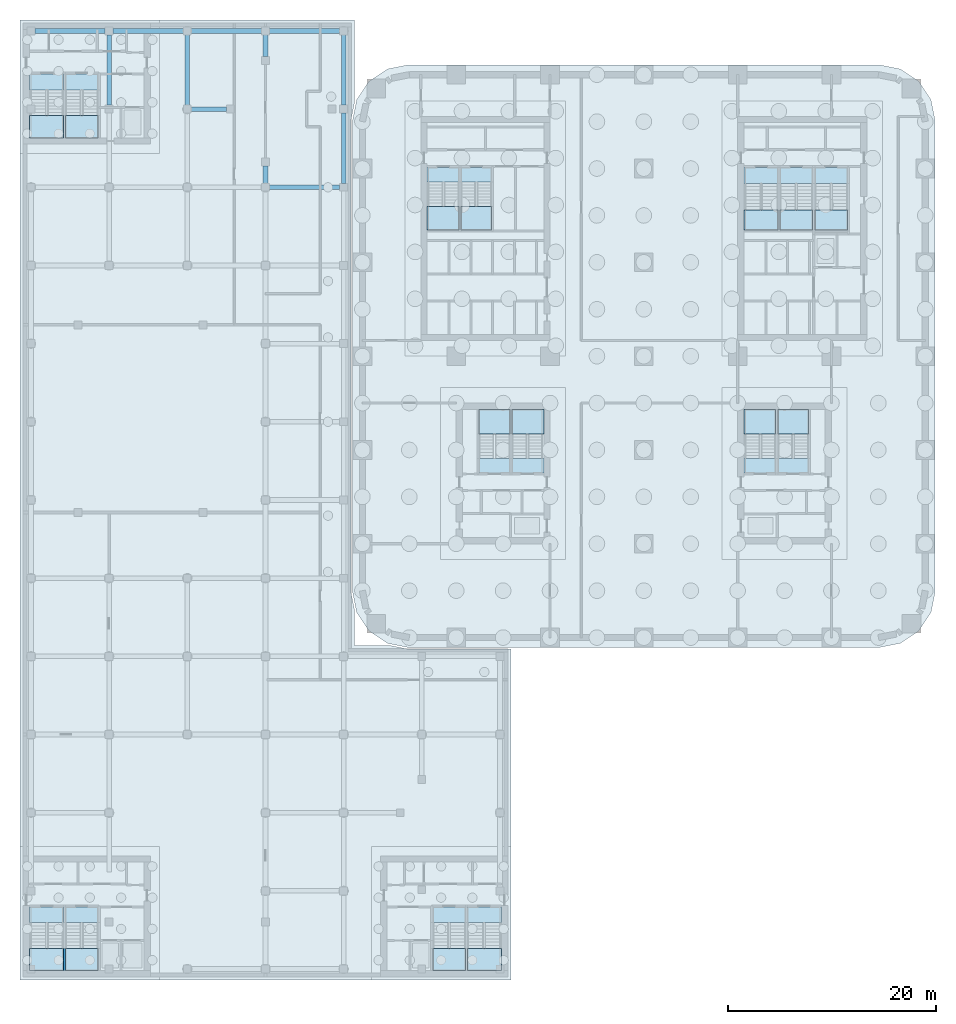
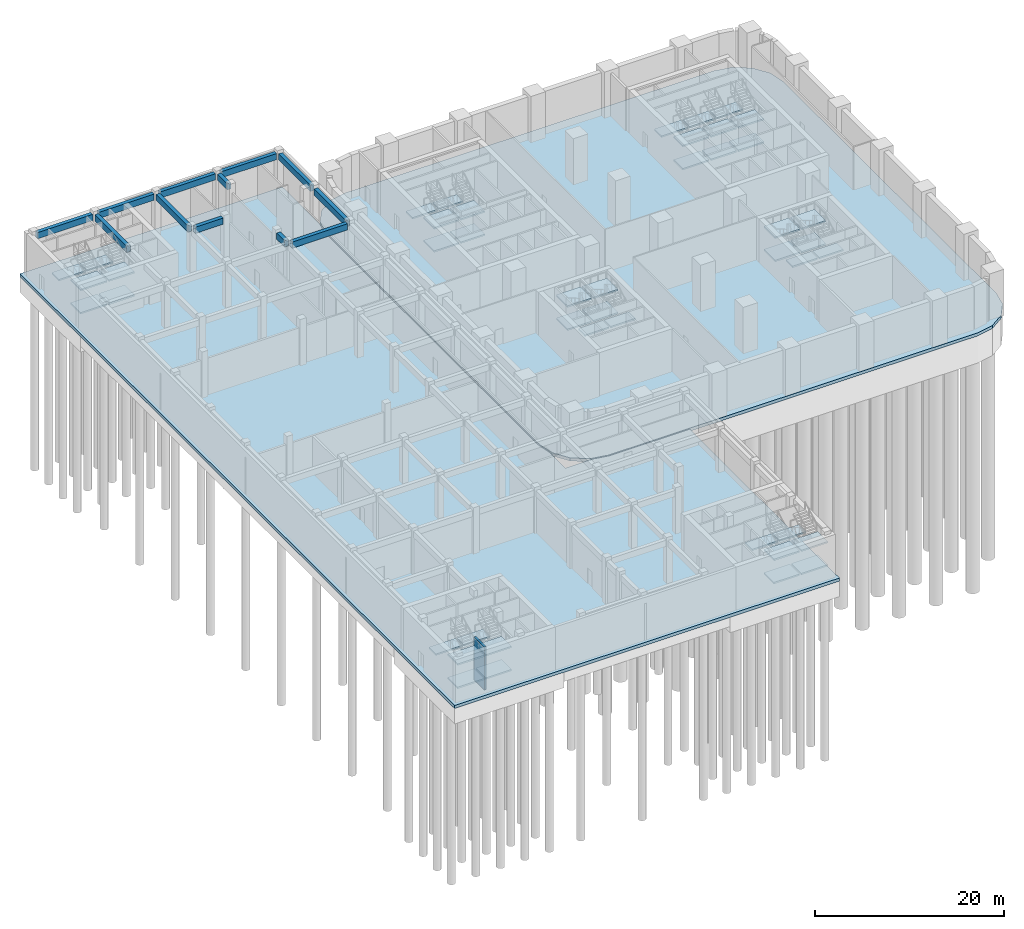
# One storey, part 3 of 26: 47 slabs, 12 beams, 1 wall, 15 elements without a shape of their own.
"""IFC4 building model written with IfcOpenShell, lengths in metres."""

from ifc_helpers import new_model, si_unit, direction, frame, frame_2d, origin, origin_2d, place, context, subcontext, project, spatial, polyline, rectangle, outline, extrude, material, layer, layer_set, material_profile, profile_set, type_object, element, aggregate, save


model = new_model("IFC4")

# Units and contexts
model_context = context("Model", 3, precision=1e-05, world=origin(), true_north=direction((0.0, 1.0)))
body_context = subcontext(model_context, "Body", "Model", "MODEL_VIEW")
ifc_project = project(units=[si_unit("LENGTHUNIT", "METRE"), si_unit("AREAUNIT", "SQUARE_METRE"), si_unit("VOLUMEUNIT", "CUBIC_METRE"), si_unit("PLANEANGLEUNIT", "RADIAN"), si_unit("MASSUNIT", "GRAM", prefix="KILO")], contexts=[model_context])

# Site, building, storey
site_placement = place(None, origin())
site = spatial("IfcSite", under=ifc_project, at=site_placement, CompositionType="ELEMENT")
building_placement = place(site_placement, origin())
building = spatial("IfcBuilding", under=site, at=building_placement, Name="Tessera Arch", CompositionType="ELEMENT")
storey_placement = place(building_placement, frame((0.0, 0.0, -6.0)))
storey = spatial("IfcBuildingStorey", under=building, at=storey_placement, Name="B1", CompositionType="ELEMENT", Elevation=-6.0)

# Beams
ifc_material_1 = material(Name="Concrete C40/50", Category="concrete")
ifc_material_profile = material_profile(ifc_material_1, rectangle(XDim=0.449951171875, YDim=0.800048828125, at=origin_2d()), Name="Museum beam 450 x 800 Concrete C40/50")
ifc_profile_set = profile_set([ifc_material_profile], Name="Concrete C40/50")
beam_type = type_object("IfcBeamType", Name="Museum beam 450 x 800 Concrete C40/50", PredefinedType="BEAM", material=ifc_profile_set)
for number, where, z_axis, x_axis, name in (
    (1, (-24.300048828125, 51.074951171875, 5.18994140625), (0.0, 1.0, 0.0), (-1.0, 0.0, 0.0), "Museum beam B1 15"),
    (2, (-16.800048828125, 51.074951171875, 5.18994140625), (0.0, 1.0, 0.0), (-1.0, 0.0, 0.0), "Museum beam B1 20"),
):
    element("IfcBeam", number, at=place(storey_placement, frame(where, z_axis=z_axis, x_axis=x_axis)), inside=storey, type_object=beam_type, Name=name, PredefinedType="BEAM", context=body_context, shape_type="SweptSolid", body=[
        extrude(rectangle(XDim=0.449951171875, YDim=0.800048828125, at=origin_2d()), origin(), (0.0, 0.0, 1.0), 6.75),
    ])
beam_1_placement = place(storey_placement, frame((-9.300048828125, 43.574951171875, 5.18994140625), z_axis=(0.0, 1.0, 0.0), x_axis=(-1.0, 0.0, 0.0)))
element("IfcBeam", 3, at=beam_1_placement, inside=storey, type_object=beam_type, Name="Museum beam B1 32", PredefinedType="BEAM", context=body_context, shape_type="SweptSolid", body=[
    extrude(rectangle(XDim=0.449951171875, YDim=0.800048828125, at=origin_2d()), origin(), (0.0, 0.0, 1.0), 1.675048828125),
])
beam_2_placement = place(storey_placement, frame((-9.300048828125, 55.75, 5.18994140625), z_axis=(0.0, 1.0, 0.0), x_axis=(-1.0, 0.0, 0.0)))
element("IfcBeam", 4, at=beam_2_placement, inside=storey, type_object=beam_type, Name="Museum beam B1 33", PredefinedType="BEAM", context=body_context, shape_type="SweptSolid", body=[
    extrude(rectangle(XDim=0.449951171875, YDim=0.800048828125, at=origin_2d()), origin(), (0.0, 0.0, 1.0), 2.074951171875),
])
for number, where, z_axis, x_axis, name in (
    (5, (-1.800048828125, 43.574951171875, 5.18994140625), (0.0, 1.0, 0.0), (-1.0, 0.0, 0.0), "Museum beam B1 44"),
    (6, (-1.800048828125, 51.074951171875, 5.18994140625), (0.0, 1.0, 0.0), (-1.0, 0.0, 0.0), "Museum beam B1 45"),
    (7, (-8.925048828125, 43.199951171875, 5.18994140625), (1.0, 0.0, 0.0), (0.0, 1.0, 0.0), "Museum beam B1 83"),
):
    element("IfcBeam", number, at=place(storey_placement, frame(where, z_axis=z_axis, x_axis=x_axis)), inside=storey, type_object=beam_type, Name=name, PredefinedType="BEAM", context=body_context, shape_type="SweptSolid", body=[
        extrude(rectangle(XDim=0.449951171875, YDim=0.800048828125, at=origin_2d()), origin(), (0.0, 0.0, 1.0), 6.75),
    ])
beam_3_placement = place(storey_placement, frame((-16.425048828125, 50.699951171875, 5.18994140625), z_axis=(1.0, 0.0, 0.0), x_axis=(0.0, 1.0, 0.0)))
element("IfcBeam", 8, at=beam_3_placement, inside=storey, type_object=beam_type, Name="Museum beam B1 84", PredefinedType="BEAM", context=body_context, shape_type="SweptSolid", body=[
    extrude(rectangle(XDim=0.449951171875, YDim=0.800048828125, at=origin_2d()), origin(), (0.0, 0.0, 1.0), 3.375),
])
for number, where, z_axis, x_axis, name in (
    (9, (-31.425048828125, 58.199951171875, 5.18994140625), (1.0, 0.0, 0.0), (0.0, 1.0, 0.0), "Museum beam B1 85"),
    (10, (-23.925048828125, 58.199951171875, 5.18994140625), (1.0, 0.0, 0.0), (0.0, 1.0, 0.0), "Museum beam B1 86"),
    (11, (-16.425048828125, 58.199951171875, 5.18994140625), (1.0, 0.0, 0.0), (0.0, 1.0, 0.0), "Museum beam B1 87"),
    (12, (-8.925048828125, 58.199951171875, 5.18994140625), (1.0, 0.0, 0.0), (0.0, 1.0, 0.0), "Museum beam B1 88"),
):
    element("IfcBeam", number, at=place(storey_placement, frame(where, z_axis=z_axis, x_axis=x_axis)), inside=storey, type_object=beam_type, Name=name, PredefinedType="BEAM", context=body_context, shape_type="SweptSolid", body=[
        extrude(rectangle(XDim=0.449951171875, YDim=0.800048828125, at=origin_2d()), origin(), (0.0, 0.0, 1.0), 6.75),
    ])

# Slabs
ifc_material_2 = material(Name="Concrete C40/50", Category="concrete")
ifc_layer_1 = layer(ifc_material_2, 0.39990234375)
ifc_layer_set_1 = layer_set([ifc_layer_1], Name="Base slab 400 Concrete C40/50")
slab_type_1 = type_object("IfcSlabType", Name="Base slab 400 Concrete C40/50", PredefinedType="BASESLAB", material=ifc_layer_set_1)
slab_1_placement = place(storey_placement, frame((0.0, 0.0, -0.39990234375)))
element("IfcSlab", 13, at=slab_1_placement, inside=storey, type_object=slab_type_1, Name="Base slab B1", PredefinedType="BASESLAB", context=body_context, shape_type="SweptSolid", body=[
    extrude(outline(polyline([(54.949951171875, 4.406494140625), (54.55224609375, 2.4072265625), (53.366943359375, 0.633056640625), (51.5927734375, -0.55224609375), (49.593505859375, -0.949951171875), (4.406494140625, -0.949951171875), (2.4072265625, -0.55224609375), (0.633056640625, 0.633056640625), (-0.55224609375, 2.4072265625), (-0.949951171875, 4.406494140625), (-0.949951171875, 49.593505859375), (-0.55224609375, 51.5927734375), (0.633056640625, 53.366943359375), (2.4072265625, 54.55224609375), (4.406494140625, 54.949951171875), (49.593505859375, 54.949951171875), (51.5927734375, 54.55224609375), (53.366943359375, 53.366943359375), (54.55224609375, 51.5927734375), (54.949951171875, 49.593505859375), (54.949951171875, 4.406494140625)])), origin(), (0.0, 0.0, 1.0), 0.39990234375),
])
slab_2_placement = place(storey_placement, frame((0.0, 0.0, -0.39990234375)))
element("IfcSlab", 14, at=slab_2_placement, inside=storey, type_object=slab_type_1, Name="Museum base slab B1", PredefinedType="BASESLAB", context=body_context, shape_type="SweptSolid", body=[
    extrude(outline(polyline([(-32.85009765625, 59.25), (-0.75, 59.25), (-0.75, 51.367919921875), (-1.10009765625, 49.6083984375), (-1.10009765625, 4.3916015625), (-0.75, 2.632080078125), (-0.75, -0.75), (2.632080078125, -0.75), (4.3916015625, -1.10009765625), (14.25, -1.10009765625), (14.25, -32.85009765625), (-32.85009765625, -32.85009765625), (-32.85009765625, 59.25)])), origin(), (0.0, 0.0, 1.0), 0.39990234375),
])

# Stair, slabs
ifc_material_3 = material(Name="Concrete C40/50", Category="concrete")
stair_type_1 = type_object("IfcStairType", Name="Dogleg stair 1500", PredefinedType="HALF_TURN_STAIR", material=ifc_material_3)
stair_1_placement = place(storey_placement, origin())
stair_1 = element("IfcStair", 15, at=stair_1_placement, inside=storey, type_object=stair_type_1, Name="B1 M1a", PredefinedType="HALF_TURN_STAIR")
ifc_material_4 = material(Name="Concrete C40/50", Category="concrete")
ifc_layer_2 = layer(ifc_material_4, 0.300048828125)
ifc_layer_set_2 = layer_set([ifc_layer_2], Name="Stair landing 300")
slab_type_2 = type_object("IfcSlabType", Name="Stair landing 300", PredefinedType="LANDING", material=ifc_layer_set_2)
slab_3_placement = place(storey_placement, frame((0.0, 0.0, 1.300048828125)))
slab_3 = element("IfcSlab", 16, at=slab_3_placement, type_object=slab_type_2, Name="M1a landing 1", PredefinedType="LANDING", context=body_context, shape_type="SweptSolid", body=[
    extrude(outline(polyline([(-31.949951171875, 50.070068359375), (-31.949951171875, 47.949951171875), (-28.699951171875, 47.949951171875), (-28.699951171875, 50.070068359375), (-31.949951171875, 50.070068359375)])), origin(), (0.0, 0.0, 1.0), 0.199951171875),
])
slab_4_placement = place(storey_placement, frame((0.0, 0.0, 2.800048828125)))
slab_4 = element("IfcSlab", 17, at=slab_4_placement, type_object=slab_type_2, Name="M1a landing 2", PredefinedType="LANDING", context=body_context, shape_type="SweptSolid", body=[
    extrude(outline(polyline([(-31.949951171875, 54.050048828125), (-31.949951171875, 52.550048828125), (-28.699951171875, 52.550048828125), (-28.699951171875, 54.050048828125), (-31.949951171875, 54.050048828125)])), origin(), (0.0, 0.0, 1.0), 0.199951171875),
])
slab_5_placement = place(storey_placement, frame((0.0, 0.0, 4.300048828125)))
slab_5 = element("IfcSlab", 18, at=slab_5_placement, type_object=slab_type_2, Name="M1a landing 3", PredefinedType="LANDING", context=body_context, shape_type="SweptSolid", body=[
    extrude(outline(polyline([(-31.949951171875, 50.070068359375), (-31.949951171875, 47.949951171875), (-28.699951171875, 47.949951171875), (-28.699951171875, 50.070068359375), (-31.949951171875, 50.070068359375)])), origin(), (0.0, 0.0, 1.0), 0.199951171875),
])
aggregate(stair_1, [slab_3, slab_4, slab_5])

stair_2_placement = place(storey_placement, origin())
stair_2 = element("IfcStair", 19, at=stair_2_placement, inside=storey, type_object=stair_type_1, Name="B1 M1b", PredefinedType="HALF_TURN_STAIR")
slab_6_placement = place(storey_placement, frame((0.0, 0.0, 1.300048828125)))
slab_6 = element("IfcSlab", 20, at=slab_6_placement, type_object=slab_type_2, Name="M1b landing 1", PredefinedType="LANDING", context=body_context, shape_type="SweptSolid", body=[
    extrude(outline(polyline([(-28.5, 50.070068359375), (-28.5, 47.949951171875), (-25.35009765625, 47.949951171875), (-25.35009765625, 50.070068359375), (-28.5, 50.070068359375)])), origin(), (0.0, 0.0, 1.0), 0.199951171875),
])
slab_7_placement = place(storey_placement, frame((0.0, 0.0, 2.800048828125)))
slab_7 = element("IfcSlab", 21, at=slab_7_placement, type_object=slab_type_2, Name="M1b landing 2", PredefinedType="LANDING", context=body_context, shape_type="SweptSolid", body=[
    extrude(outline(polyline([(-28.5, 54.050048828125), (-28.5, 52.550048828125), (-25.35009765625, 52.550048828125), (-25.35009765625, 54.050048828125), (-28.5, 54.050048828125)])), origin(), (0.0, 0.0, 1.0), 0.199951171875),
])
slab_8_placement = place(storey_placement, frame((0.0, 0.0, 4.300048828125)))
slab_8 = element("IfcSlab", 22, at=slab_8_placement, type_object=slab_type_2, Name="M1b landing 3", PredefinedType="LANDING", context=body_context, shape_type="SweptSolid", body=[
    extrude(outline(polyline([(-28.5, 50.070068359375), (-28.5, 47.949951171875), (-25.35009765625, 47.949951171875), (-25.35009765625, 50.070068359375), (-28.5, 50.070068359375)])), origin(), (0.0, 0.0, 1.0), 0.199951171875),
])
aggregate(stair_2, [slab_6, slab_7, slab_8])

stair_3_placement = place(storey_placement, origin())
stair_3 = element("IfcStair", 23, at=stair_3_placement, inside=storey, type_object=stair_type_1, Name="B1 M2a", PredefinedType="HALF_TURN_STAIR")
slab_9_placement = place(storey_placement, frame((0.0, 0.0, 1.300048828125)))
slab_9 = element("IfcSlab", 24, at=slab_9_placement, type_object=slab_type_2, Name="M2a landing 1", PredefinedType="LANDING", context=body_context, shape_type="SweptSolid", body=[
    extrude(outline(polyline([(-31.949951171875, -29.830078125), (-31.949951171875, -31.949951171875), (-28.699951171875, -31.949951171875), (-28.699951171875, -29.830078125), (-31.949951171875, -29.830078125)])), origin(), (0.0, 0.0, 1.0), 0.199951171875),
])
slab_10_placement = place(storey_placement, frame((0.0, 0.0, 2.800048828125)))
slab_10 = element("IfcSlab", 25, at=slab_10_placement, type_object=slab_type_2, Name="M2a landing 2", PredefinedType="LANDING", context=body_context, shape_type="SweptSolid", body=[
    extrude(outline(polyline([(-31.949951171875, -25.85009765625), (-31.949951171875, -27.35009765625), (-28.699951171875, -27.35009765625), (-28.699951171875, -25.85009765625), (-31.949951171875, -25.85009765625)])), origin(), (0.0, 0.0, 1.0), 0.199951171875),
])
slab_11_placement = place(storey_placement, frame((0.0, 0.0, 4.300048828125)))
slab_11 = element("IfcSlab", 26, at=slab_11_placement, type_object=slab_type_2, Name="M2a landing 3", PredefinedType="LANDING", context=body_context, shape_type="SweptSolid", body=[
    extrude(outline(polyline([(-31.949951171875, -29.830078125), (-31.949951171875, -31.949951171875), (-28.699951171875, -31.949951171875), (-28.699951171875, -29.830078125), (-31.949951171875, -29.830078125)])), origin(), (0.0, 0.0, 1.0), 0.199951171875),
])
aggregate(stair_3, [slab_9, slab_10, slab_11])

stair_4_placement = place(storey_placement, origin())
stair_4 = element("IfcStair", 27, at=stair_4_placement, inside=storey, type_object=stair_type_1, Name="B1 M2b", PredefinedType="HALF_TURN_STAIR")
slab_12_placement = place(storey_placement, frame((0.0, 0.0, 1.300048828125)))
slab_12 = element("IfcSlab", 28, at=slab_12_placement, type_object=slab_type_2, Name="M2b landing 1", PredefinedType="LANDING", context=body_context, shape_type="SweptSolid", body=[
    extrude(outline(polyline([(-28.5, -29.830078125), (-28.5, -31.949951171875), (-25.35009765625, -31.949951171875), (-25.35009765625, -29.830078125), (-28.5, -29.830078125)])), origin(), (0.0, 0.0, 1.0), 0.199951171875),
])
slab_13_placement = place(storey_placement, frame((0.0, 0.0, 2.800048828125)))
slab_13 = element("IfcSlab", 29, at=slab_13_placement, type_object=slab_type_2, Name="M2b landing 2", PredefinedType="LANDING", context=body_context, shape_type="SweptSolid", body=[
    extrude(outline(polyline([(-28.5, -25.85009765625), (-28.5, -27.35009765625), (-25.35009765625, -27.35009765625), (-25.35009765625, -25.85009765625), (-28.5, -25.85009765625)])), origin(), (0.0, 0.0, 1.0), 0.199951171875),
])
slab_14_placement = place(storey_placement, frame((0.0, 0.0, 4.300048828125)))
slab_14 = element("IfcSlab", 30, at=slab_14_placement, type_object=slab_type_2, Name="M2b landing 3", PredefinedType="LANDING", context=body_context, shape_type="SweptSolid", body=[
    extrude(outline(polyline([(-28.5, -29.830078125), (-28.5, -31.949951171875), (-25.35009765625, -31.949951171875), (-25.35009765625, -29.830078125), (-28.5, -29.830078125)])), origin(), (0.0, 0.0, 1.0), 0.199951171875),
])
aggregate(stair_4, [slab_12, slab_13, slab_14])

stair_5_placement = place(storey_placement, origin())
stair_5 = element("IfcStair", 31, at=stair_5_placement, inside=storey, type_object=stair_type_1, Name="B1 M3a", PredefinedType="HALF_TURN_STAIR")
slab_15_placement = place(storey_placement, frame((0.0, 0.0, 1.300048828125)))
slab_15 = element("IfcSlab", 32, at=slab_15_placement, type_object=slab_type_2, Name="M3a landing 1", PredefinedType="LANDING", context=body_context, shape_type="SweptSolid", body=[
    extrude(outline(polyline([(10.10009765625, -29.830078125), (10.10009765625, -31.949951171875), (13.35009765625, -31.949951171875), (13.35009765625, -29.830078125), (10.10009765625, -29.830078125)])), origin(), (0.0, 0.0, 1.0), 0.199951171875),
])
slab_16_placement = place(storey_placement, frame((0.0, 0.0, 2.800048828125)))
slab_16 = element("IfcSlab", 33, at=slab_16_placement, type_object=slab_type_2, Name="M3a landing 2", PredefinedType="LANDING", context=body_context, shape_type="SweptSolid", body=[
    extrude(outline(polyline([(10.10009765625, -25.85009765625), (10.10009765625, -27.35009765625), (13.35009765625, -27.35009765625), (13.35009765625, -25.85009765625), (10.10009765625, -25.85009765625)])), origin(), (0.0, 0.0, 1.0), 0.199951171875),
])
slab_17_placement = place(storey_placement, frame((0.0, 0.0, 4.300048828125)))
slab_17 = element("IfcSlab", 34, at=slab_17_placement, type_object=slab_type_2, Name="M3a landing 3", PredefinedType="LANDING", context=body_context, shape_type="SweptSolid", body=[
    extrude(outline(polyline([(10.10009765625, -29.830078125), (10.10009765625, -31.949951171875), (13.35009765625, -31.949951171875), (13.35009765625, -29.830078125), (10.10009765625, -29.830078125)])), origin(), (0.0, 0.0, 1.0), 0.199951171875),
])
aggregate(stair_5, [slab_15, slab_16, slab_17])

stair_6_placement = place(storey_placement, origin())
stair_6 = element("IfcStair", 35, at=stair_6_placement, inside=storey, type_object=stair_type_1, Name="B1 M3b", PredefinedType="HALF_TURN_STAIR")
slab_18_placement = place(storey_placement, frame((0.0, 0.0, 1.300048828125)))
slab_18 = element("IfcSlab", 36, at=slab_18_placement, type_object=slab_type_2, Name="M3b landing 1", PredefinedType="LANDING", context=body_context, shape_type="SweptSolid", body=[
    extrude(outline(polyline([(6.75, -29.830078125), (6.75, -31.949951171875), (9.89990234375, -31.949951171875), (9.89990234375, -29.830078125), (6.75, -29.830078125)])), origin(), (0.0, 0.0, 1.0), 0.199951171875),
])
slab_19_placement = place(storey_placement, frame((0.0, 0.0, 2.800048828125)))
slab_19 = element("IfcSlab", 37, at=slab_19_placement, type_object=slab_type_2, Name="M3b landing 2", PredefinedType="LANDING", context=body_context, shape_type="SweptSolid", body=[
    extrude(outline(polyline([(6.75, -25.85009765625), (6.75, -27.35009765625), (9.89990234375, -27.35009765625), (9.89990234375, -25.85009765625), (6.75, -25.85009765625)])), origin(), (0.0, 0.0, 1.0), 0.199951171875),
])
slab_20_placement = place(storey_placement, frame((0.0, 0.0, 4.300048828125)))
slab_20 = element("IfcSlab", 38, at=slab_20_placement, type_object=slab_type_2, Name="M3b landing 3", PredefinedType="LANDING", context=body_context, shape_type="SweptSolid", body=[
    extrude(outline(polyline([(6.75, -29.830078125), (6.75, -31.949951171875), (9.89990234375, -31.949951171875), (9.89990234375, -29.830078125), (6.75, -29.830078125)])), origin(), (0.0, 0.0, 1.0), 0.199951171875),
])
aggregate(stair_6, [slab_18, slab_19, slab_20])

ifc_material_5 = material(Name="Concrete C40/50", Category="concrete")
stair_type_2 = type_object("IfcStairType", Name="Dogleg stair 1520", PredefinedType="HALF_TURN_STAIR", material=ifc_material_5)
stair_7_placement = place(storey_placement, origin())
stair_7 = element("IfcStair", 39, at=stair_7_placement, inside=storey, type_object=stair_type_2, Name="B1 S1a", PredefinedType="HALF_TURN_STAIR")
slab_21_placement = place(storey_placement, frame((0.0, 0.0, 1.300048828125)))
slab_21 = element("IfcSlab", 40, at=slab_21_placement, type_object=slab_type_2, Name="S1a landing 1", PredefinedType="LANDING", context=body_context, shape_type="SweptSolid", body=[
    extrude(outline(polyline([(36.60009765625, 41.02001953125), (36.60009765625, 39.10009765625), (39.85009765625, 39.10009765625), (39.85009765625, 41.02001953125), (36.60009765625, 41.02001953125)])), origin(), (0.0, 0.0, 1.0), 0.199951171875),
])
slab_22_placement = place(storey_placement, frame((0.0, 0.0, 2.800048828125)))
slab_22 = element("IfcSlab", 41, at=slab_22_placement, type_object=slab_type_2, Name="S1a landing 2", PredefinedType="LANDING", context=body_context, shape_type="SweptSolid", body=[
    extrude(outline(polyline([(36.60009765625, 45.10009765625), (36.60009765625, 43.580078125), (39.85009765625, 43.580078125), (39.85009765625, 45.10009765625), (36.60009765625, 45.10009765625)])), origin(), (0.0, 0.0, 1.0), 0.199951171875),
])
slab_23_placement = place(storey_placement, frame((0.0, 0.0, 4.300048828125)))
slab_23 = element("IfcSlab", 42, at=slab_23_placement, type_object=slab_type_2, Name="S1a landing 3", PredefinedType="LANDING", context=body_context, shape_type="SweptSolid", body=[
    extrude(outline(polyline([(36.60009765625, 41.02001953125), (36.60009765625, 39.10009765625), (39.85009765625, 39.10009765625), (39.85009765625, 41.02001953125), (36.60009765625, 41.02001953125)])), origin(), (0.0, 0.0, 1.0), 0.199951171875),
])
aggregate(stair_7, [slab_21, slab_22, slab_23])

stair_8_placement = place(storey_placement, origin())
stair_8 = element("IfcStair", 43, at=stair_8_placement, inside=storey, type_object=stair_type_2, Name="B1 S1b", PredefinedType="HALF_TURN_STAIR")
slab_24_placement = place(storey_placement, frame((0.0, 0.0, 1.300048828125)))
slab_24 = element("IfcSlab", 44, at=slab_24_placement, type_object=slab_type_2, Name="S1b landing 1", PredefinedType="LANDING", context=body_context, shape_type="SweptSolid", body=[
    extrude(outline(polyline([(40.050048828125, 41.02001953125), (40.050048828125, 39.10009765625), (43.199951171875, 39.10009765625), (43.199951171875, 41.02001953125), (40.050048828125, 41.02001953125)])), origin(), (0.0, 0.0, 1.0), 0.199951171875),
])
slab_25_placement = place(storey_placement, frame((0.0, 0.0, 2.800048828125)))
slab_25 = element("IfcSlab", 45, at=slab_25_placement, type_object=slab_type_2, Name="S1b landing 2", PredefinedType="LANDING", context=body_context, shape_type="SweptSolid", body=[
    extrude(outline(polyline([(40.050048828125, 45.10009765625), (40.050048828125, 43.580078125), (43.199951171875, 43.580078125), (43.199951171875, 45.10009765625), (40.050048828125, 45.10009765625)])), origin(), (0.0, 0.0, 1.0), 0.199951171875),
])
slab_26_placement = place(storey_placement, frame((0.0, 0.0, 4.300048828125)))
slab_26 = element("IfcSlab", 46, at=slab_26_placement, type_object=slab_type_2, Name="S1b landing 3", PredefinedType="LANDING", context=body_context, shape_type="SweptSolid", body=[
    extrude(outline(polyline([(40.050048828125, 41.02001953125), (40.050048828125, 39.10009765625), (43.199951171875, 39.10009765625), (43.199951171875, 41.02001953125), (40.050048828125, 41.02001953125)])), origin(), (0.0, 0.0, 1.0), 0.199951171875),
])
aggregate(stair_8, [slab_24, slab_25, slab_26])

stair_9_placement = place(storey_placement, origin())
stair_9 = element("IfcStair", 47, at=stair_9_placement, inside=storey, type_object=stair_type_2, Name="B1 S1c", PredefinedType="HALF_TURN_STAIR")
slab_27_placement = place(storey_placement, frame((0.0, 0.0, 1.300048828125)))
slab_27 = element("IfcSlab", 48, at=slab_27_placement, type_object=slab_type_2, Name="S1c landing 1", PredefinedType="LANDING", context=body_context, shape_type="SweptSolid", body=[
    extrude(outline(polyline([(43.39990234375, 41.02001953125), (43.39990234375, 39.10009765625), (46.550048828125, 39.10009765625), (46.550048828125, 41.02001953125), (43.39990234375, 41.02001953125)])), origin(), (0.0, 0.0, 1.0), 0.199951171875),
])
slab_28_placement = place(storey_placement, frame((0.0, 0.0, 2.800048828125)))
slab_28 = element("IfcSlab", 49, at=slab_28_placement, type_object=slab_type_2, Name="S1c landing 2", PredefinedType="LANDING", context=body_context, shape_type="SweptSolid", body=[
    extrude(outline(polyline([(43.39990234375, 45.10009765625), (43.39990234375, 43.580078125), (46.550048828125, 43.580078125), (46.550048828125, 45.10009765625), (43.39990234375, 45.10009765625)])), origin(), (0.0, 0.0, 1.0), 0.199951171875),
])
slab_29_placement = place(storey_placement, frame((0.0, 0.0, 4.300048828125)))
slab_29 = element("IfcSlab", 50, at=slab_29_placement, type_object=slab_type_2, Name="S1c landing 3", PredefinedType="LANDING", context=body_context, shape_type="SweptSolid", body=[
    extrude(outline(polyline([(43.39990234375, 41.02001953125), (43.39990234375, 39.10009765625), (46.550048828125, 39.10009765625), (46.550048828125, 41.02001953125), (43.39990234375, 41.02001953125)])), origin(), (0.0, 0.0, 1.0), 0.199951171875),
])
aggregate(stair_9, [slab_27, slab_28, slab_29])

ifc_material_6 = material(Name="Concrete C40/50", Category="concrete")
stair_type_3 = type_object("IfcStairType", Name="Dogleg stair 1400", PredefinedType="HALF_TURN_STAIR", material=ifc_material_6)
stair_10_placement = place(storey_placement, origin())
stair_10 = element("IfcStair", 51, at=stair_10_placement, inside=storey, type_object=stair_type_3, Name="B1 S2a", PredefinedType="HALF_TURN_STAIR")
slab_30_placement = place(storey_placement, frame((0.0, 0.0, 1.300048828125)))
slab_30 = element("IfcSlab", 52, at=slab_30_placement, type_object=slab_type_2, Name="S2a landing 1", PredefinedType="LANDING", context=body_context, shape_type="SweptSolid", body=[
    extrude(outline(polyline([(6.199951171875, 41.3798828125), (6.199951171875, 39.10009765625), (9.25, 39.10009765625), (9.25, 41.3798828125), (6.199951171875, 41.3798828125)])), origin(), (0.0, 0.0, 1.0), 0.199951171875),
])
slab_31_placement = place(storey_placement, frame((0.0, 0.0, 2.800048828125)))
slab_31 = element("IfcSlab", 53, at=slab_31_placement, type_object=slab_type_2, Name="S2a landing 2", PredefinedType="LANDING", context=body_context, shape_type="SweptSolid", body=[
    extrude(outline(polyline([(6.199951171875, 45.10009765625), (6.199951171875, 43.699951171875), (9.25, 43.699951171875), (9.25, 45.10009765625), (6.199951171875, 45.10009765625)])), origin(), (0.0, 0.0, 1.0), 0.199951171875),
])
slab_32_placement = place(storey_placement, frame((0.0, 0.0, 4.300048828125)))
slab_32 = element("IfcSlab", 54, at=slab_32_placement, type_object=slab_type_2, Name="S2a landing 3", PredefinedType="LANDING", context=body_context, shape_type="SweptSolid", body=[
    extrude(outline(polyline([(6.199951171875, 41.3798828125), (6.199951171875, 39.10009765625), (9.25, 39.10009765625), (9.25, 41.3798828125), (6.199951171875, 41.3798828125)])), origin(), (0.0, 0.0, 1.0), 0.199951171875),
])
aggregate(stair_10, [slab_30, slab_31, slab_32])

stair_11_placement = place(storey_placement, origin())
stair_11 = element("IfcStair", 55, at=stair_11_placement, inside=storey, type_object=stair_type_3, Name="B1 S2b", PredefinedType="HALF_TURN_STAIR")
slab_33_placement = place(storey_placement, frame((0.0, 0.0, 1.300048828125)))
slab_33 = element("IfcSlab", 56, at=slab_33_placement, type_object=slab_type_2, Name="S2b landing 1", PredefinedType="LANDING", context=body_context, shape_type="SweptSolid", body=[
    extrude(outline(polyline([(9.449951171875, 41.3798828125), (9.449951171875, 39.10009765625), (12.39990234375, 39.10009765625), (12.39990234375, 41.3798828125), (9.449951171875, 41.3798828125)])), origin(), (0.0, 0.0, 1.0), 0.199951171875),
])
slab_34_placement = place(storey_placement, frame((0.0, 0.0, 2.800048828125)))
slab_34 = element("IfcSlab", 57, at=slab_34_placement, type_object=slab_type_2, Name="S2b landing 2", PredefinedType="LANDING", context=body_context, shape_type="SweptSolid", body=[
    extrude(outline(polyline([(9.449951171875, 45.10009765625), (9.449951171875, 43.699951171875), (12.39990234375, 43.699951171875), (12.39990234375, 45.10009765625), (9.449951171875, 45.10009765625)])), origin(), (0.0, 0.0, 1.0), 0.199951171875),
])
slab_35_placement = place(storey_placement, frame((0.0, 0.0, 4.300048828125)))
slab_35 = element("IfcSlab", 58, at=slab_35_placement, type_object=slab_type_2, Name="S2b landing 3", PredefinedType="LANDING", context=body_context, shape_type="SweptSolid", body=[
    extrude(outline(polyline([(9.449951171875, 41.3798828125), (9.449951171875, 39.10009765625), (12.39990234375, 39.10009765625), (12.39990234375, 41.3798828125), (9.449951171875, 41.3798828125)])), origin(), (0.0, 0.0, 1.0), 0.199951171875),
])
aggregate(stair_11, [slab_33, slab_34, slab_35])

stair_12_placement = place(storey_placement, origin())
stair_12 = element("IfcStair", 59, at=stair_12_placement, inside=storey, type_object=stair_type_3, Name="B1 S3a", PredefinedType="HALF_TURN_STAIR")
slab_36_placement = place(storey_placement, frame((0.0, 0.0, 1.300048828125)))
slab_36 = element("IfcSlab", 60, at=slab_36_placement, type_object=slab_type_2, Name="S3a landing 1", PredefinedType="LANDING", context=body_context, shape_type="SweptSolid", body=[
    extrude(outline(polyline([(39.64990234375, 19.52001953125), (39.64990234375, 21.89990234375), (36.60009765625, 21.89990234375), (36.60009765625, 19.52001953125), (39.64990234375, 19.52001953125)])), origin(), (0.0, 0.0, 1.0), 0.199951171875),
])
slab_37_placement = place(storey_placement, frame((0.0, 0.0, 2.800048828125)))
slab_37 = element("IfcSlab", 61, at=slab_37_placement, type_object=slab_type_2, Name="S3a landing 2", PredefinedType="LANDING", context=body_context, shape_type="SweptSolid", body=[
    extrude(outline(polyline([(39.64990234375, 15.800048828125), (39.64990234375, 17.199951171875), (36.60009765625, 17.199951171875), (36.60009765625, 15.800048828125), (39.64990234375, 15.800048828125)])), origin(), (0.0, 0.0, 1.0), 0.199951171875),
])
slab_38_placement = place(storey_placement, frame((0.0, 0.0, 4.300048828125)))
slab_38 = element("IfcSlab", 62, at=slab_38_placement, type_object=slab_type_2, Name="S3a landing 3", PredefinedType="LANDING", context=body_context, shape_type="SweptSolid", body=[
    extrude(outline(polyline([(39.64990234375, 19.52001953125), (39.64990234375, 21.89990234375), (36.60009765625, 21.89990234375), (36.60009765625, 19.52001953125), (39.64990234375, 19.52001953125)])), origin(), (0.0, 0.0, 1.0), 0.199951171875),
])
aggregate(stair_12, [slab_36, slab_37, slab_38])

stair_13_placement = place(storey_placement, origin())
stair_13 = element("IfcStair", 63, at=stair_13_placement, inside=storey, type_object=stair_type_3, Name="B1 S3b", PredefinedType="HALF_TURN_STAIR")
slab_39_placement = place(storey_placement, frame((0.0, 0.0, 1.300048828125)))
slab_39 = element("IfcSlab", 64, at=slab_39_placement, type_object=slab_type_2, Name="S3b landing 1", PredefinedType="LANDING", context=body_context, shape_type="SweptSolid", body=[
    extrude(outline(polyline([(42.800048828125, 19.52001953125), (42.800048828125, 21.89990234375), (39.85009765625, 21.89990234375), (39.85009765625, 19.52001953125), (42.800048828125, 19.52001953125)])), origin(), (0.0, 0.0, 1.0), 0.199951171875),
])
slab_40_placement = place(storey_placement, frame((0.0, 0.0, 2.800048828125)))
slab_40 = element("IfcSlab", 65, at=slab_40_placement, type_object=slab_type_2, Name="S3b landing 2", PredefinedType="LANDING", context=body_context, shape_type="SweptSolid", body=[
    extrude(outline(polyline([(42.800048828125, 15.800048828125), (42.800048828125, 17.199951171875), (39.85009765625, 17.199951171875), (39.85009765625, 15.800048828125), (42.800048828125, 15.800048828125)])), origin(), (0.0, 0.0, 1.0), 0.199951171875),
])
slab_41_placement = place(storey_placement, frame((0.0, 0.0, 4.300048828125)))
slab_41 = element("IfcSlab", 66, at=slab_41_placement, type_object=slab_type_2, Name="S3b landing 3", PredefinedType="LANDING", context=body_context, shape_type="SweptSolid", body=[
    extrude(outline(polyline([(42.800048828125, 19.52001953125), (42.800048828125, 21.89990234375), (39.85009765625, 21.89990234375), (39.85009765625, 19.52001953125), (42.800048828125, 19.52001953125)])), origin(), (0.0, 0.0, 1.0), 0.199951171875),
])
aggregate(stair_13, [slab_39, slab_40, slab_41])

stair_14_placement = place(storey_placement, origin())
stair_14 = element("IfcStair", 67, at=stair_14_placement, inside=storey, type_object=stair_type_3, Name="B1 S4a", PredefinedType="HALF_TURN_STAIR")
slab_42_placement = place(storey_placement, frame((0.0, 0.0, 1.300048828125)))
slab_42 = element("IfcSlab", 68, at=slab_42_placement, type_object=slab_type_2, Name="S4a landing 1", PredefinedType="LANDING", context=body_context, shape_type="SweptSolid", body=[
    extrude(outline(polyline([(17.39990234375, 19.52001953125), (17.39990234375, 21.89990234375), (14.35009765625, 21.89990234375), (14.35009765625, 19.52001953125), (17.39990234375, 19.52001953125)])), origin(), (0.0, 0.0, 1.0), 0.199951171875),
])
slab_43_placement = place(storey_placement, frame((0.0, 0.0, 2.800048828125)))
slab_43 = element("IfcSlab", 69, at=slab_43_placement, type_object=slab_type_2, Name="S4a landing 2", PredefinedType="LANDING", context=body_context, shape_type="SweptSolid", body=[
    extrude(outline(polyline([(17.39990234375, 15.800048828125), (17.39990234375, 17.199951171875), (14.35009765625, 17.199951171875), (14.35009765625, 15.800048828125), (17.39990234375, 15.800048828125)])), origin(), (0.0, 0.0, 1.0), 0.199951171875),
])
slab_44_placement = place(storey_placement, frame((0.0, 0.0, 4.300048828125)))
slab_44 = element("IfcSlab", 70, at=slab_44_placement, type_object=slab_type_2, Name="S4a landing 3", PredefinedType="LANDING", context=body_context, shape_type="SweptSolid", body=[
    extrude(outline(polyline([(17.39990234375, 19.52001953125), (17.39990234375, 21.89990234375), (14.35009765625, 21.89990234375), (14.35009765625, 19.52001953125), (17.39990234375, 19.52001953125)])), origin(), (0.0, 0.0, 1.0), 0.199951171875),
])
aggregate(stair_14, [slab_42, slab_43, slab_44])

stair_15_placement = place(storey_placement, origin())
stair_15 = element("IfcStair", 71, at=stair_15_placement, inside=storey, type_object=stair_type_3, Name="B1 S4b", PredefinedType="HALF_TURN_STAIR")
slab_45_placement = place(storey_placement, frame((0.0, 0.0, 1.300048828125)))
slab_45 = element("IfcSlab", 72, at=slab_45_placement, type_object=slab_type_2, Name="S4b landing 1", PredefinedType="LANDING", context=body_context, shape_type="SweptSolid", body=[
    extrude(outline(polyline([(14.14990234375, 19.52001953125), (14.14990234375, 21.89990234375), (11.199951171875, 21.89990234375), (11.199951171875, 19.52001953125), (14.14990234375, 19.52001953125)])), origin(), (0.0, 0.0, 1.0), 0.199951171875),
])
slab_46_placement = place(storey_placement, frame((0.0, 0.0, 2.800048828125)))
slab_46 = element("IfcSlab", 73, at=slab_46_placement, type_object=slab_type_2, Name="S4b landing 2", PredefinedType="LANDING", context=body_context, shape_type="SweptSolid", body=[
    extrude(outline(polyline([(14.14990234375, 15.800048828125), (14.14990234375, 17.199951171875), (11.199951171875, 17.199951171875), (11.199951171875, 15.800048828125), (14.14990234375, 15.800048828125)])), origin(), (0.0, 0.0, 1.0), 0.199951171875),
])
slab_47_placement = place(storey_placement, frame((0.0, 0.0, 4.300048828125)))
slab_47 = element("IfcSlab", 74, at=slab_47_placement, type_object=slab_type_2, Name="S4b landing 3", PredefinedType="LANDING", context=body_context, shape_type="SweptSolid", body=[
    extrude(outline(polyline([(14.14990234375, 19.52001953125), (14.14990234375, 21.89990234375), (11.199951171875, 21.89990234375), (11.199951171875, 19.52001953125), (14.14990234375, 19.52001953125)])), origin(), (0.0, 0.0, 1.0), 0.199951171875),
])
aggregate(stair_15, [slab_45, slab_46, slab_47])

# Wall
ifc_material_7 = material(Name="Concrete C40/50", Category="concrete")
ifc_layer_3 = layer(ifc_material_7, 0.199951171875)
ifc_layer_set_3 = layer_set([ifc_layer_3], Name="Stair well wall 200 REI 180")
wall_type = type_object("IfcWallType", Name="Stair well wall 200 REI 180", PredefinedType="SOLIDWALL", material=ifc_layer_set_3)
wall_placement = place(storey_placement, frame((-28.60009765625, -31.949951171875, 0.0), z_axis=(0.0, 0.0, 1.0), x_axis=(0.0, 1.0, 0.0)))
element("IfcWall", 75, at=wall_placement, inside=storey, type_object=wall_type, Name="B1 M2 shaft wall 1", PredefinedType="SOLIDWALL", context=body_context, shape_type="SweptSolid", body=[
    extrude(rectangle(XDim=2.119873046875, YDim=0.199951171875, at=frame_2d((1.06005859375, 0.0))), origin(), (0.0, 0.0, 1.0), 5.590087890625),
])

save(model, "model.ifc")
